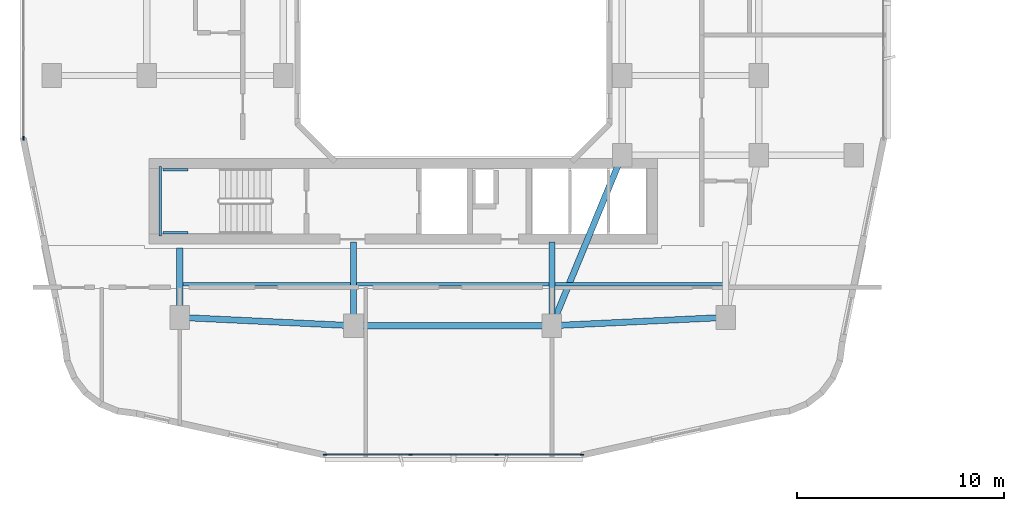
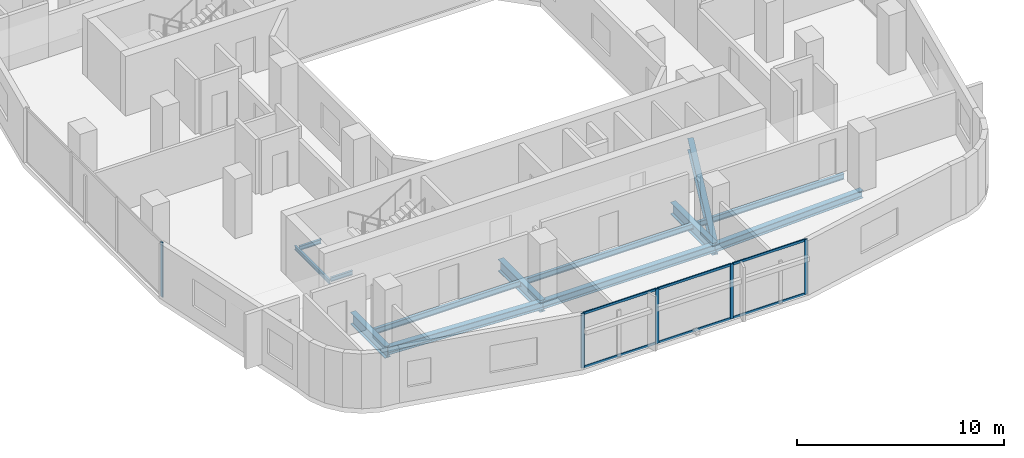
# One storey, part 2 of 26: 13 beams, 11 members, 2 elements without a shape of their own.
"""IFC4 building model written with IfcOpenShell, lengths in metres."""

from ifc_helpers import new_model, si_unit, derived_unit, direction, frame, origin, origin_2d, place, context, subcontext, project, spatial, rectangle, i_section, extrude, material, layer, layer_set, material_profile, profile_set, type_object, element, aggregate, save


model = new_model("IFC4")

# Units and contexts
model_context = context("Model", 3, precision=1e-05, world=origin(), true_north=direction((0.0, 1.0)))
body_context = subcontext(model_context, "Body", "Model", "MODEL_VIEW")
ifc_project = project(units=[si_unit("LENGTHUNIT", "METRE"), si_unit("AREAUNIT", "SQUARE_METRE"), si_unit("VOLUMEUNIT", "CUBIC_METRE"), si_unit("PLANEANGLEUNIT", "RADIAN"), si_unit("MASSUNIT", "GRAM", prefix="KILO"), derived_unit("THERMALTRANSMITTANCEUNIT", [(si_unit("POWERUNIT", "WATT"), 1), (si_unit("LENGTHUNIT", "METRE"), -2), (si_unit("THERMODYNAMICTEMPERATUREUNIT", "KELVIN"), -1)])], contexts=[model_context])

# Site, building, storey
site_placement = place(None, origin())
site = spatial("IfcSite", under=ifc_project, at=site_placement, CompositionType="ELEMENT")
building_placement = place(site_placement, origin())
building = spatial("IfcBuilding", under=site, at=building_placement, Name="Kivonza Crest Hotel", CompositionType="ELEMENT")
storey_placement = place(building_placement, frame((0.0, 0.0, 66.0)))
storey = spatial("IfcBuildingStorey", under=building, at=storey_placement, Name="L17", CompositionType="ELEMENT", Elevation=66.0)

# Beams
ifc_material_1 = material(Name="Steel S355", Category="steel")
ifc_material_profile_1 = material_profile(ifc_material_1, i_section(OverallWidth=0.300048828125, OverallDepth=0.449951171875, WebThickness=0.013916015625, FlangeThickness=0.02587890625, FilletRadius=0.027099609375, at=origin_2d()), Name="HEB 450")
ifc_profile_set_1 = profile_set([ifc_material_profile_1], Name="Steel S355")
beam_type_1 = type_object("IfcBeamType", Name="BM-HEB450", PredefinedType="SPANDREL", material=ifc_profile_set_1)
beam_1_placement = place(storey_placement, frame((16.199951171875, 9.39990234375, -0.5048828125), z_axis=(1.0, 0.0, 0.0), x_axis=(0.0, 1.0, 0.0)))
element("IfcBeam", 1, at=beam_1_placement, inside=storey, type_object=beam_type_1, Name="Tower T1 L17 perimeter spandrel S1-S2", PredefinedType="SPANDREL", context=body_context, shape_type="SweptSolid", body=[
    extrude(i_section(OverallWidth=0.300048828125, OverallDepth=0.449951171875, WebThickness=0.013916015625, FlangeThickness=0.02587890625, FilletRadius=0.027099609375, at=origin_2d()), origin(), (0.0, 0.0, 1.0), 9.60009765625),
])
for number, where, z_axis, x_axis, name in (
    (2, (25.800048828125, 9.39990234375, -0.5048828125), (0.998867283688, 0.047583080799, 0.0), (-0.047583080799, 0.998867283688, 0.0), "Tower T1 L17 perimeter spandrel S2-SE"),
    (3, (7.800048828125, 9.800048828125, -0.5048828125), (0.998867283688, -0.047583080799, 0.0), (0.047583080799, 0.998867283688, 0.0), "Tower T1 L17 perimeter spandrel SW-S1"),
):
    element("IfcBeam", number, at=place(storey_placement, frame(where, z_axis=z_axis, x_axis=x_axis)), inside=storey, type_object=beam_type_1, Name=name, PredefinedType="SPANDREL", context=body_context, shape_type="SweptSolid", body=[
        extrude(i_section(OverallWidth=0.300048828125, OverallDepth=0.449951171875, WebThickness=0.013916015625, FlangeThickness=0.02587890625, FilletRadius=0.027099609375, at=origin_2d()), origin(), (0.0, 0.0, 1.0), 8.409423828125),
    ])
ifc_material_profile_2 = material_profile(ifc_material_1, i_section(OverallWidth=0.300048828125, OverallDepth=0.699951171875, WebThickness=0.01708984375, FlangeThickness=0.031982421875, FilletRadius=0.027099609375, at=origin_2d()), Name="HEB 700")
ifc_profile_set_2 = profile_set([ifc_material_profile_2], Name="Steel S355")
beam_type_2 = type_object("IfcBeamType", Name="BM-HEB700", PredefinedType="BEAM", material=ifc_profile_set_2)
beam_2_placement = place(storey_placement, frame((25.800048828125, 9.39990234375, -0.6298828125), z_axis=(0.381022260404, 0.924565864109, 0.0), x_axis=(-0.924565864109, 0.381022260404, 0.0)))
element("IfcBeam", 4, at=beam_2_placement, inside=storey, type_object=beam_type_2, Name="Tower T1 L17 primary girder S1-TSE", PredefinedType="BEAM", context=body_context, shape_type="SweptSolid", body=[
    extrude(i_section(OverallWidth=0.300048828125, OverallDepth=0.699951171875, WebThickness=0.01708984375, FlangeThickness=0.031982421875, FilletRadius=0.027099609375, at=origin_2d()), origin(), (0.0, 0.0, 1.0), 8.923095703125),
])
beam_3_placement = place(storey_placement, frame((7.800048828125, 9.800048828125, -0.6298828125), z_axis=(0.0, 1.0, 0.0), x_axis=(-1.0, 0.0, 0.0)))
element("IfcBeam", 5, at=beam_3_placement, inside=storey, type_object=beam_type_2, Name="Tower T1 L17 radial core girder RSW", PredefinedType="BEAM", context=body_context, shape_type="SweptSolid", body=[
    extrude(i_section(OverallWidth=0.300048828125, OverallDepth=0.699951171875, WebThickness=0.01708984375, FlangeThickness=0.031982421875, FilletRadius=0.027099609375, at=origin_2d()), origin(), (0.0, 0.0, 1.0), 3.349853515625),
])
for number, where, z_axis, x_axis, name in (
    (6, (16.199951171875, 9.39990234375, -0.6298828125), (0.0, 1.0, 0.0), (-1.0, 0.0, 0.0), "Tower T1 L17 radial core girder RS1"),
    (7, (25.800048828125, 9.39990234375, -0.6298828125), (0.0, 1.0, 0.0), (-1.0, 0.0, 0.0), "Tower T1 L17 radial core girder RS2"),
):
    element("IfcBeam", number, at=place(storey_placement, frame(where, z_axis=z_axis, x_axis=x_axis)), inside=storey, type_object=beam_type_2, Name=name, PredefinedType="BEAM", context=body_context, shape_type="SweptSolid", body=[
        extrude(i_section(OverallWidth=0.300048828125, OverallDepth=0.699951171875, WebThickness=0.01708984375, FlangeThickness=0.031982421875, FilletRadius=0.027099609375, at=origin_2d()), origin(), (0.0, 0.0, 1.0), 4.050048828125),
    ])
ifc_material_profile_3 = material_profile(ifc_material_1, i_section(OverallWidth=0.159912109375, OverallDepth=0.330078125, WebThickness=0.007568359375, FlangeThickness=0.011474609375, FilletRadius=0.01806640625, at=origin_2d()), Name="IPE 330")
ifc_profile_set_3 = profile_set([ifc_material_profile_3], Name="Steel S355")
beam_type_3 = type_object("IfcBeamType", Name="BM-IPE330", PredefinedType="JOIST", material=ifc_profile_set_3)
beam_4_placement = place(storey_placement, frame((7.8798828125, 11.39990234375, -0.445068359375), z_axis=(1.0, 0.0, 0.0), x_axis=(0.0, 1.0, 0.0)))
element("IfcBeam", 8, at=beam_4_placement, inside=storey, type_object=beam_type_3, Name="Tower T1 L17 South-West floor joist", PredefinedType="JOIST", context=body_context, shape_type="SweptSolid", body=[
    extrude(i_section(OverallWidth=0.159912109375, OverallDepth=0.330078125, WebThickness=0.007568359375, FlangeThickness=0.011474609375, FilletRadius=0.01806640625, at=origin_2d()), origin(), (0.0, 0.0, 1.0), 8.240234375),
])
beam_5_placement = place(storey_placement, frame((16.280029296875, 11.39990234375, -0.445068359375), z_axis=(1.0, 0.0, 0.0), x_axis=(0.0, 1.0, 0.0)))
element("IfcBeam", 9, at=beam_5_placement, inside=storey, type_object=beam_type_3, Name="Tower T1 L17 South-Mid floor joist", PredefinedType="JOIST", context=body_context, shape_type="SweptSolid", body=[
    extrude(i_section(OverallWidth=0.159912109375, OverallDepth=0.330078125, WebThickness=0.007568359375, FlangeThickness=0.011474609375, FilletRadius=0.01806640625, at=origin_2d()), origin(), (0.0, 0.0, 1.0), 9.43994140625),
])
beam_6_placement = place(storey_placement, frame((25.8798828125, 11.39990234375, -0.445068359375), z_axis=(1.0, 0.0, 0.0), x_axis=(0.0, 1.0, 0.0)))
element("IfcBeam", 10, at=beam_6_placement, inside=storey, type_object=beam_type_3, Name="Tower T1 L17 South-East floor joist", PredefinedType="JOIST", context=body_context, shape_type="SweptSolid", body=[
    extrude(i_section(OverallWidth=0.159912109375, OverallDepth=0.330078125, WebThickness=0.007568359375, FlangeThickness=0.011474609375, FilletRadius=0.01806640625, at=origin_2d()), origin(), (0.0, 0.0, 1.0), 8.240234375),
])
ifc_material_profile_4 = material_profile(ifc_material_1, i_section(OverallWidth=0.1201171875, OverallDepth=0.239990234375, WebThickness=0.006103515625, FlangeThickness=0.009765625, FilletRadius=0.014892578125, at=origin_2d()), Name="IPE 240")
ifc_profile_set_4 = profile_set([ifc_material_profile_4], Name="Steel S355")
beam_type_4 = type_object("IfcBeamType", Name="BM-LLDG-240", PredefinedType="BEAM", material=ifc_profile_set_4)
beam_7_placement = place(storey_placement, frame((6.860107421875, 13.739990234375, 1.429931640625), z_axis=(0.0, 1.0, 0.0), x_axis=(-1.0, 0.0, 0.0)))
element("IfcBeam", 11, at=beam_7_placement, inside=storey, type_object=beam_type_4, Name="Stair ST-T1-S L17 West landing corbel", PredefinedType="BEAM", context=body_context, shape_type="SweptSolid", body=[
    extrude(i_section(OverallWidth=0.1201171875, OverallDepth=0.239990234375, WebThickness=0.006103515625, FlangeThickness=0.009765625, FilletRadius=0.014892578125, at=origin_2d()), origin(), (0.0, 0.0, 1.0), 3.360107421875),
])
for number, where, z_axis, x_axis, name in (
    (12, (6.989990234375, 13.89990234375, 1.429931640625), (1.0, 0.0, 0.0), (0.0, 1.0, 0.0), "Stair ST-T1-S L17 South landing corbel"),
    (13, (6.989990234375, 16.93994140625, 1.429931640625), (1.0, 0.0, 0.0), (0.0, 1.0, 0.0), "Stair ST-T1-S L17 North landing corbel"),
):
    element("IfcBeam", number, at=place(storey_placement, frame(where, z_axis=z_axis, x_axis=x_axis)), inside=storey, type_object=beam_type_4, Name=name, PredefinedType="BEAM", context=body_context, shape_type="SweptSolid", body=[
        extrude(i_section(OverallWidth=0.1201171875, OverallDepth=0.239990234375, WebThickness=0.006103515625, FlangeThickness=0.009765625, FilletRadius=0.014892578125, at=origin_2d()), origin(), (0.0, 0.0, 1.0), 1.2099609375),
    ])

# Curtain wall, members
ifc_material_2 = material(Name="Anodised bronze aluminium and low-E double glazing", Category="aluminium")
ifc_layer = layer(ifc_material_2, 0.179931640625)
ifc_layer_set = layer_set([ifc_layer], Name="Anodised bronze aluminium and low-E double glazing")
curtain_wall_type = type_object("IfcCurtainWallType", Name="CW-SYS-2", PredefinedType="NOTDEFINED", material=ifc_layer_set)
curtain_wall_1_placement = place(storey_placement, origin())
curtain_wall_1 = element("IfcCurtainWall", 14, at=curtain_wall_1_placement, inside=storey, type_object=curtain_wall_type, Name="L17 unitised curtain wall CW-T1-L17-08", PredefinedType="NOTDEFINED")
ifc_material_3 = material(Name="Anodised bronze aluminium", Category="aluminium")
ifc_material_profile_5 = material_profile(ifc_material_3, rectangle(XDim=0.06494140625, YDim=0.179931640625, at=origin_2d()), Name="CW-M 65x180")
ifc_profile_set_5 = profile_set([ifc_material_profile_5], Name="Anodised bronze aluminium")
member_type_1 = type_object("IfcMemberType", Name="CW-MUL-65x180", PredefinedType="MULLION", material=ifc_profile_set_5)
member_1_placement = place(storey_placement, frame((14.824462890625, 3.159912109375, 0.0), z_axis=(0.0, 0.0, 1.0), x_axis=(0.0, 1.0, 0.0)))
member_1 = element("IfcMember", 15, at=member_1_placement, type_object=member_type_1, Name="CW-2 mullion 1", PredefinedType="MULLION", context=body_context, shape_type="SweptSolid", body=[
    extrude(rectangle(XDim=0.06494140625, YDim=0.179931640625, at=origin_2d()), origin(), (0.0, 0.0, 1.0), 3.219970703125),
])
member_2_placement = place(storey_placement, frame((18.957275390625, 3.159912109375, 0.0), z_axis=(0.0, 0.0, 1.0), x_axis=(0.0, 1.0, 0.0)))
member_2 = element("IfcMember", 16, at=member_2_placement, type_object=member_type_1, Name="CW-2 mullion 2", PredefinedType="MULLION", context=body_context, shape_type="SweptSolid", body=[
    extrude(rectangle(XDim=0.06494140625, YDim=0.179931640625, at=origin_2d()), origin(), (0.0, 0.0, 1.0), 3.219970703125),
])
member_3_placement = place(storey_placement, frame((23.12255859375, 3.159912109375, 0.0), z_axis=(0.0, 0.0, 1.0), x_axis=(0.0, 1.0, 0.0)))
member_3 = element("IfcMember", 17, at=member_3_placement, type_object=member_type_1, Name="CW-2 mullion 3", PredefinedType="MULLION", context=body_context, shape_type="SweptSolid", body=[
    extrude(rectangle(XDim=0.06494140625, YDim=0.179931640625, at=origin_2d()), origin(), (0.0, 0.0, 1.0), 3.219970703125),
])
member_4_placement = place(storey_placement, frame((27.255615234375, 3.159912109375, 0.0), z_axis=(0.0, 0.0, 1.0), x_axis=(0.0, 1.0, 0.0)))
member_4 = element("IfcMember", 18, at=member_4_placement, type_object=member_type_1, Name="CW-2 mullion 4", PredefinedType="MULLION", context=body_context, shape_type="SweptSolid", body=[
    extrude(rectangle(XDim=0.06494140625, YDim=0.179931640625, at=origin_2d()), origin(), (0.0, 0.0, 1.0), 3.219970703125),
])

# Curtain wall, member
curtain_wall_2_placement = place(storey_placement, origin())
curtain_wall_2 = element("IfcCurtainWall", 19, at=curtain_wall_2_placement, inside=storey, type_object=curtain_wall_type, Name="L17 unitised curtain wall CW-T1-L17-35", PredefinedType="NOTDEFINED")
member_5_placement = place(storey_placement, frame((0.239990234375, 18.472412109375, 0.0), z_axis=(0.0, 0.0, 1.0), x_axis=(1.0, 0.0, 0.0)))
member_5 = element("IfcMember", 20, at=member_5_placement, type_object=member_type_1, Name="CW-2 mullion 4", PredefinedType="MULLION", context=body_context, shape_type="SweptSolid", body=[
    extrude(rectangle(XDim=0.06494140625, YDim=0.179931640625, at=origin_2d()), origin(), (0.0, 0.0, 1.0), 3.219970703125),
])
aggregate(curtain_wall_2, [member_5])

# Member
ifc_material_profile_6 = material_profile(ifc_material_3, rectangle(XDim=0.06494140625, YDim=0.139892578125, at=origin_2d()), Name="CW-T 65x140")
ifc_profile_set_6 = profile_set([ifc_material_profile_6], Name="Anodised bronze aluminium")
member_type_2 = type_object("IfcMemberType", Name="CW-TRN-65x140", PredefinedType="USERDEFINED", material=ifc_profile_set_6)
member_6_placement = place(storey_placement, frame((14.85693359375, 3.159912109375, 0.032470703125), z_axis=(1.0, 0.0, 0.0), x_axis=(0.0, 1.0, 0.0)))
member_6 = element("IfcMember", 21, at=member_6_placement, type_object=member_type_2, Name="CW-2 transom 1.1", ObjectType="TRANSOM", PredefinedType="USERDEFINED", context=body_context, shape_type="SweptSolid", body=[
    extrude(rectangle(XDim=0.06494140625, YDim=0.139892578125, at=origin_2d()), origin(), (0.0, 0.0, 1.0), 4.06787109375),
])

member_7_placement = place(storey_placement, frame((14.85693359375, 3.159912109375, 3.1875), z_axis=(1.0, 0.0, 0.0), x_axis=(0.0, 1.0, 0.0)))
member_7 = element("IfcMember", 22, at=member_7_placement, type_object=member_type_2, Name="CW-2 transom 1.2", ObjectType="TRANSOM", PredefinedType="USERDEFINED", context=body_context, shape_type="SweptSolid", body=[
    extrude(rectangle(XDim=0.06494140625, YDim=0.139892578125, at=origin_2d()), origin(), (0.0, 0.0, 1.0), 4.06787109375),
])

member_8_placement = place(storey_placement, frame((18.98974609375, 3.159912109375, 0.032470703125), z_axis=(1.0, 0.0, 0.0), x_axis=(0.0, 1.0, 0.0)))
member_8 = element("IfcMember", 23, at=member_8_placement, type_object=member_type_2, Name="CW-2 transom 2.1", ObjectType="TRANSOM", PredefinedType="USERDEFINED", context=body_context, shape_type="SweptSolid", body=[
    extrude(rectangle(XDim=0.06494140625, YDim=0.139892578125, at=origin_2d()), origin(), (0.0, 0.0, 1.0), 4.100341796875),
])

member_9_placement = place(storey_placement, frame((18.98974609375, 3.159912109375, 3.1875), z_axis=(1.0, 0.0, 0.0), x_axis=(0.0, 1.0, 0.0)))
member_9 = element("IfcMember", 24, at=member_9_placement, type_object=member_type_2, Name="CW-2 transom 2.2", ObjectType="TRANSOM", PredefinedType="USERDEFINED", context=body_context, shape_type="SweptSolid", body=[
    extrude(rectangle(XDim=0.06494140625, YDim=0.139892578125, at=origin_2d()), origin(), (0.0, 0.0, 1.0), 4.100341796875),
])

member_10_placement = place(storey_placement, frame((23.1552734375, 3.159912109375, 0.032470703125), z_axis=(1.0, 0.0, 0.0), x_axis=(0.0, 1.0, 0.0)))
member_10 = element("IfcMember", 25, at=member_10_placement, type_object=member_type_2, Name="CW-2 transom 3.1", ObjectType="TRANSOM", PredefinedType="USERDEFINED", context=body_context, shape_type="SweptSolid", body=[
    extrude(rectangle(XDim=0.06494140625, YDim=0.139892578125, at=origin_2d()), origin(), (0.0, 0.0, 1.0), 4.067626953125),
])

member_11_placement = place(storey_placement, frame((23.1552734375, 3.159912109375, 3.1875), z_axis=(1.0, 0.0, 0.0), x_axis=(0.0, 1.0, 0.0)))
member_11 = element("IfcMember", 26, at=member_11_placement, type_object=member_type_2, Name="CW-2 transom 3.2", ObjectType="TRANSOM", PredefinedType="USERDEFINED", context=body_context, shape_type="SweptSolid", body=[
    extrude(rectangle(XDim=0.06494140625, YDim=0.139892578125, at=origin_2d()), origin(), (0.0, 0.0, 1.0), 4.067626953125),
])

aggregate(curtain_wall_1, [member_1, member_2, member_3, member_4, member_6, member_7, member_8, member_9, member_10, member_11])

save(model, "model.ifc")
